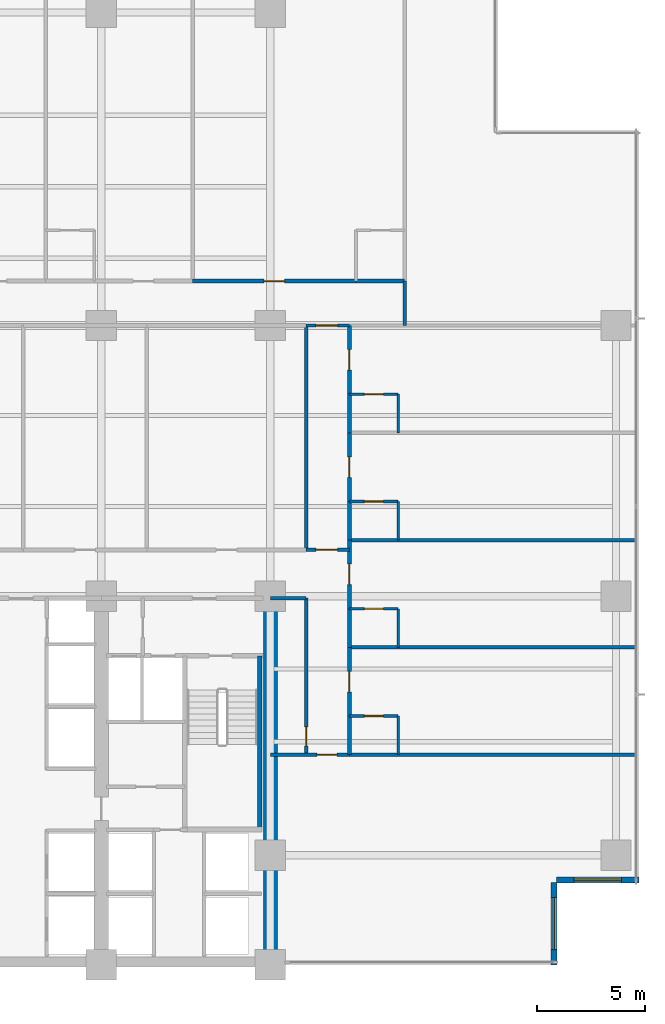
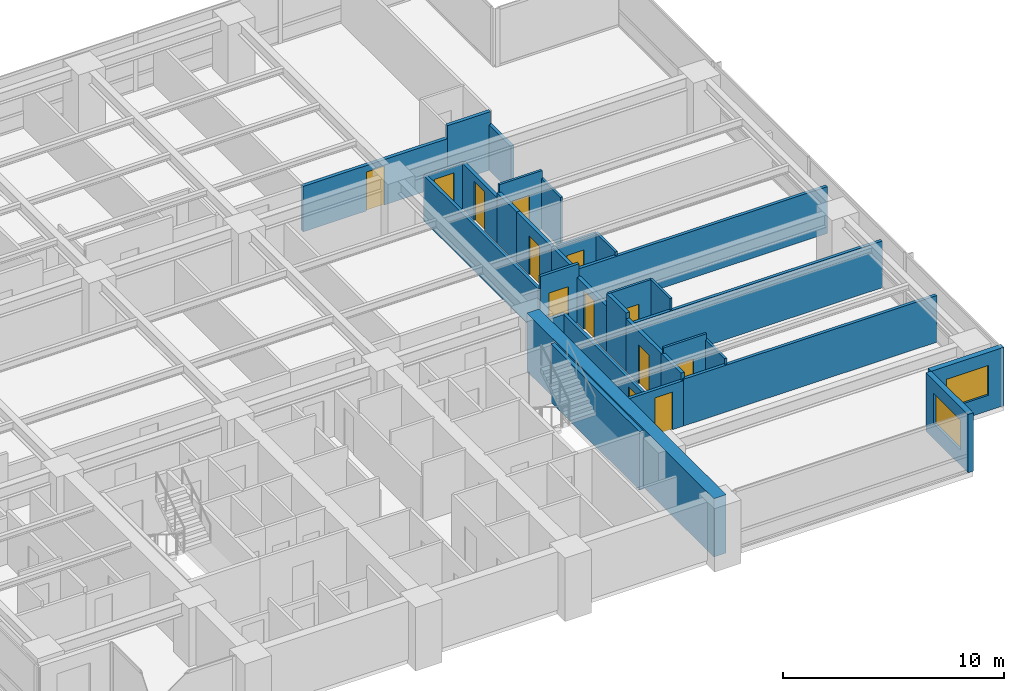
# One storey, part 10 of 17: 32 walls, 13 doors, 2 windows, 15 openings.
"""IFC4 building model written with IfcOpenShell, lengths in metres."""

from ifc_helpers import new_model, si_unit, direction, frame, frame_2d, origin, place, context, subcontext, project, spatial, rectangle, extrude, material, layer, layer_set, type_object, element, fill, save


model = new_model("IFC4")

# Units and contexts
model_context = context("Model", 3, precision=1e-05, world=origin(), true_north=direction((0.0, 1.0)))
body_context = subcontext(model_context, "Body", "Model", "MODEL_VIEW")
ifc_project = project(units=[si_unit("LENGTHUNIT", "METRE"), si_unit("AREAUNIT", "SQUARE_METRE"), si_unit("VOLUMEUNIT", "CUBIC_METRE"), si_unit("PLANEANGLEUNIT", "RADIAN"), si_unit("MASSUNIT", "GRAM", prefix="KILO")], contexts=[model_context])

# Site, building, storey
site_placement = place(None, origin())
site = spatial("IfcSite", under=ifc_project, at=site_placement, CompositionType="ELEMENT")
building_placement = place(site_placement, origin())
building = spatial("IfcBuilding", under=site, at=building_placement, Name="Qalmaran Belvedere Hotel", CompositionType="ELEMENT")
storey_placement = place(building_placement, frame((0.0, 0.0, 33.39990234375)))
storey = spatial("IfcBuildingStorey", under=building, at=storey_placement, Name="L07", CompositionType="ELEMENT", Elevation=33.39990234375)

# Wall
ifc_material_1 = material(Name="Concrete C60/75", Category="concrete")
ifc_layer_1 = layer(ifc_material_1, 0.64990234375, Name="Concrete C60/75")
ifc_layer_set_1 = layer_set([ifc_layer_1], Name="Concrete C60/75")
wall_type_1 = type_object("IfcWallType", Name="WL-CORE-650-C60", PredefinedType="SHEAR", material=ifc_layer_set_1)
wall_1_placement = place(storey_placement, frame((44.800048828125, 3.5, 0.0), z_axis=(0.0, 0.0, 1.0), x_axis=(0.0, 1.0, 0.0)))
element("IfcWall", 1, at=wall_1_placement, inside=storey, type_object=wall_type_1, Name="L07 East Core Shear Wall", PredefinedType="SHEAR", context=body_context, shape_type="SweptSolid", body=[
    extrude(rectangle(XDim=16.89990234375, YDim=0.64990234375, at=frame_2d((8.449951171875, 0.0))), origin(), (0.0, 0.0, 1.0), 3.22021484375),
])

# Wall, opening, window
ifc_material_2 = material(Name="Anodised Bronze Cladding")
ifc_layer_2 = layer(ifc_material_2, 0.280029296875, Name="Anodised Bronze Cladding")
ifc_layer_set_2 = layer_set([ifc_layer_2], Name="Anodised Bronze Cladding")
wall_type_2 = type_object("IfcWallType", Name="WL-EXT-BRNZ-280", PredefinedType="SOLIDWALL", material=ifc_layer_set_2)
wall_2_placement = place(storey_placement, frame((57.8798828125, 3.5, 0.0), z_axis=(0.0, 0.0, 1.0), x_axis=(0.0, 1.0, 0.0)))
wall_2 = element("IfcWall", 2, at=wall_2_placement, inside=storey, type_object=wall_type_2, Name="L07 Corner Notch Wall 1", PredefinedType="SOLIDWALL", context=body_context, shape_type="SweptSolid", body=[
    extrude(rectangle(XDim=3.800048828125, YDim=0.280029296875, at=frame_2d((1.89990234375, 0.0))), origin(), (0.0, 0.0, 1.0), 3.22021484375),
])
opening_1_placement = place(wall_2_placement, frame((0.699951171875, 0.0, 0.85009765625)))
opening_1 = element("IfcOpeningElement", 3, at=opening_1_placement, cuts=wall_2, Name="Opening W-N24", PredefinedType="OPENING", context=body_context, shape_type="SweptSolid", body=[
    extrude(rectangle(XDim=2.39990234375, YDim=1.64990234375, at=frame_2d((1.199951171875, 0.824951171875))), frame((0.0, 0.14990234375, 0.0), z_axis=(0.0, -1.0, 0.0), x_axis=(1.0, 0.0, 0.0)), (0.0, 0.0, 1.0), 0.300048828125),
])
ifc_material_3 = material(Name="Solar-Control Double Glazing", Category="glass")
window_type_1 = type_object("IfcWindowType", Name="WN-NTC-2400X1650", PartitioningType="SINGLE_PANEL", PredefinedType="WINDOW", material=ifc_material_3)
window_1_placement = place(opening_1_placement, origin())
window_1 = element("IfcWindow", 4, at=window_1_placement, inside=storey, type_object=window_type_1, Name="L07 Corner Notch Window 1", OverallHeight=1.64990234375, OverallWidth=2.39990234375, PartitioningType="SINGLE_PANEL", PredefinedType="WINDOW", context=body_context, shape_type="SweptSolid", body=[
    extrude(rectangle(XDim=2.39990234375, YDim=1.64990234375, at=frame_2d((1.199951171875, 0.824951171875))), frame((0.0, 0.030029296875, 0.0), z_axis=(0.0, -1.0, 0.0), x_axis=(1.0, 0.0, 0.0)), (0.0, 0.0, 1.0), 0.06005859375),
])
fill(opening_1, window_1)

wall_3_placement = place(storey_placement, frame((58.0, 7.419921875, 0.0), z_axis=(0.0, 0.0, 1.0), x_axis=(1.0, 0.0, 0.0)))
wall_3 = element("IfcWall", 5, at=wall_3_placement, inside=storey, type_object=wall_type_2, Name="L07 Corner Notch Wall 2", PredefinedType="SOLIDWALL", context=body_context, shape_type="SweptSolid", body=[
    extrude(rectangle(XDim=3.800048828125, YDim=0.280029296875, at=frame_2d((1.89990234375, 0.0))), origin(), (0.0, 0.0, 1.0), 3.22021484375),
])
opening_2_placement = place(wall_3_placement, frame((0.800048828125, 0.0, 0.85009765625)))
opening_2 = element("IfcOpeningElement", 6, at=opening_2_placement, cuts=wall_3, Name="Opening W-N22", PredefinedType="OPENING", context=body_context, shape_type="SweptSolid", body=[
    extrude(rectangle(XDim=2.199951171875, YDim=1.64990234375, at=frame_2d((1.10009765625, 0.824951171875))), frame((0.0, 0.14990234375, 0.0), z_axis=(0.0, -1.0, 0.0), x_axis=(1.0, 0.0, 0.0)), (0.0, 0.0, 1.0), 0.300048828125),
])
window_type_2 = type_object("IfcWindowType", Name="WN-NTC-2200X1650", PartitioningType="SINGLE_PANEL", PredefinedType="WINDOW", material=ifc_material_3)
window_2_placement = place(opening_2_placement, origin())
window_2 = element("IfcWindow", 7, at=window_2_placement, inside=storey, type_object=window_type_2, Name="L07 Corner Notch Window 2", OverallHeight=1.64990234375, OverallWidth=2.199951171875, PartitioningType="SINGLE_PANEL", PredefinedType="WINDOW", context=body_context, shape_type="SweptSolid", body=[
    extrude(rectangle(XDim=2.199951171875, YDim=1.64990234375, at=frame_2d((1.10009765625, 0.824951171875))), frame((0.0, 0.030029296875, 0.0), z_axis=(0.0, -1.0, 0.0), x_axis=(1.0, 0.0, 0.0)), (0.0, 0.0, 1.0), 0.06005859375),
])
fill(opening_2, window_2)

# Wall, opening, door
ifc_material_4 = material(Name="Moisture-Resistant Gypsum")
ifc_layer_3 = layer(ifc_material_4, 0.1201171875, Name="Moisture-Resistant Gypsum")
ifc_layer_set_3 = layer_set([ifc_layer_3], Name="Moisture-Resistant Gypsum")
wall_type_3 = type_object("IfcWallType", Name="WL-INT-120-BATH", PredefinedType="PARTITIONING", material=ifc_layer_set_3)
wall_4_placement = place(storey_placement, frame((48.449951171875, 14.97998046875, 0.0), z_axis=(0.0, 0.0, 1.0), x_axis=(1.0, 0.0, 0.0)))
wall_4 = element("IfcWall", 8, at=wall_4_placement, inside=storey, type_object=wall_type_3, Name="L07 Partition WL-L07-EBN00", PredefinedType="PARTITIONING", context=body_context, shape_type="SweptSolid", body=[
    extrude(rectangle(XDim=2.25, YDim=0.1201171875, at=frame_2d((1.125, 0.0))), origin(), (0.0, 0.0, 1.0), 3.22021484375),
])
opening_3_placement = place(wall_4_placement, frame((1.56494140625, 0.0, 0.0), z_axis=(0.0, 0.0, 1.0), x_axis=(-1.0, 0.0, 0.0)))
opening_3 = element("IfcOpeningElement", 9, at=opening_3_placement, cuts=wall_4, Name="Opening D-BATH", PredefinedType="OPENING", context=body_context, shape_type="SweptSolid", body=[
    extrude(rectangle(XDim=0.8798828125, YDim=2.080078125, at=frame_2d((0.43994140625, 1.0400390625))), frame((0.0, 0.070068359375, 0.0), z_axis=(0.0, -1.0, 0.0), x_axis=(1.0, 0.0, 0.0)), (0.0, 0.0, 1.0), 0.14013671875),
])
ifc_material_5 = material(Name="Engineered Oak Veneer")
door_type_1 = type_object("IfcDoorType", Name="DR-INT-BATH-880X2080", OperationType="NOTDEFINED", PredefinedType="DOOR", material=ifc_material_5)
door_1_placement = place(opening_3_placement, origin())
door_1 = element("IfcDoor", 10, at=door_1_placement, inside=storey, type_object=door_type_1, Name="L07 E Ensuite Door 01", OperationType="SINGLE_SWING_RIGHT", OverallHeight=2.080078125, OverallWidth=0.8798828125, PredefinedType="DOOR", context=body_context, shape_type="SweptSolid", body=[
    extrude(rectangle(XDim=0.8798828125, YDim=2.080078125, at=frame_2d((0.43994140625, 1.0400390625))), frame((0.0, 0.02490234375, 0.0), z_axis=(0.0, -1.0, 0.0), x_axis=(1.0, 0.0, 0.0)), (0.0, 0.0, 1.0), 0.050048828125),
])
fill(opening_3, door_1)

# Wall
wall_5_placement = place(storey_placement, frame((50.699951171875, 13.199951171875, 0.0), z_axis=(0.0, 0.0, 1.0), x_axis=(0.0, 1.0, 0.0)))
element("IfcWall", 11, at=wall_5_placement, inside=storey, type_object=wall_type_3, Name="L07 Partition WL-L07-EBS00", PredefinedType="PARTITIONING", context=body_context, shape_type="SweptSolid", body=[
    extrude(rectangle(XDim=1.780029296875, YDim=0.1201171875, at=frame_2d((0.89013671875, 0.0))), origin(), (0.0, 0.0, 1.0), 2.902099609375),
])

# Wall, opening, door
wall_6_placement = place(storey_placement, frame((48.449951171875, 19.929931640625, 0.0), z_axis=(0.0, 0.0, 1.0), x_axis=(1.0, 0.0, 0.0)))
wall_6 = element("IfcWall", 12, at=wall_6_placement, inside=storey, type_object=wall_type_3, Name="L07 Partition WL-L07-EBN01", PredefinedType="PARTITIONING", context=body_context, shape_type="SweptSolid", body=[
    extrude(rectangle(XDim=2.25, YDim=0.1201171875, at=frame_2d((1.125, 0.0))), origin(), (0.0, 0.0, 1.0), 3.22021484375),
])
opening_4_placement = place(wall_6_placement, frame((1.56494140625, 0.0, 0.0), z_axis=(0.0, 0.0, 1.0), x_axis=(-1.0, 0.0, 0.0)))
opening_4 = element("IfcOpeningElement", 13, at=opening_4_placement, cuts=wall_6, Name="Opening D-BATH", PredefinedType="OPENING", context=body_context, shape_type="SweptSolid", body=[
    extrude(rectangle(XDim=0.8798828125, YDim=2.080078125, at=frame_2d((0.43994140625, 1.0400390625))), frame((0.0, 0.070068359375, 0.0), z_axis=(0.0, -1.0, 0.0), x_axis=(1.0, 0.0, 0.0)), (0.0, 0.0, 1.0), 0.14013671875),
])
door_2_placement = place(opening_4_placement, origin())
door_2 = element("IfcDoor", 14, at=door_2_placement, inside=storey, type_object=door_type_1, Name="L07 E Ensuite Door 02", OperationType="SINGLE_SWING_RIGHT", OverallHeight=2.080078125, OverallWidth=0.8798828125, PredefinedType="DOOR", context=body_context, shape_type="SweptSolid", body=[
    extrude(rectangle(XDim=0.8798828125, YDim=2.080078125, at=frame_2d((0.43994140625, 1.0400390625))), frame((0.0, 0.02490234375, 0.0), z_axis=(0.0, -1.0, 0.0), x_axis=(1.0, 0.0, 0.0)), (0.0, 0.0, 1.0), 0.050048828125),
])
fill(opening_4, door_2)

# Wall
wall_7_placement = place(storey_placement, frame((50.699951171875, 18.14990234375, 0.0), z_axis=(0.0, 0.0, 1.0), x_axis=(0.0, 1.0, 0.0)))
element("IfcWall", 15, at=wall_7_placement, inside=storey, type_object=wall_type_3, Name="L07 Partition WL-L07-EBS01", PredefinedType="PARTITIONING", context=body_context, shape_type="SweptSolid", body=[
    extrude(rectangle(XDim=1.780029296875, YDim=0.1201171875, at=frame_2d((0.89013671875, 0.0))), origin(), (0.0, 0.0, 1.0), 3.22021484375),
])

# Wall, opening, door
wall_8_placement = place(storey_placement, frame((48.449951171875, 24.8798828125, 0.0), z_axis=(0.0, 0.0, 1.0), x_axis=(1.0, 0.0, 0.0)))
wall_8 = element("IfcWall", 16, at=wall_8_placement, inside=storey, type_object=wall_type_3, Name="L07 Partition WL-L07-EBN02", PredefinedType="PARTITIONING", context=body_context, shape_type="SweptSolid", body=[
    extrude(rectangle(XDim=2.25, YDim=0.1201171875, at=frame_2d((1.125, 0.0))), origin(), (0.0, 0.0, 1.0), 2.7880859375),
])
opening_5_placement = place(wall_8_placement, frame((1.56494140625, 0.0, 0.0), z_axis=(0.0, 0.0, 1.0), x_axis=(-1.0, 0.0, 0.0)))
opening_5 = element("IfcOpeningElement", 17, at=opening_5_placement, cuts=wall_8, Name="Opening D-BATH", PredefinedType="OPENING", context=body_context, shape_type="SweptSolid", body=[
    extrude(rectangle(XDim=0.8798828125, YDim=2.080078125, at=frame_2d((0.43994140625, 1.0400390625))), frame((0.0, 0.070068359375, 0.0), z_axis=(0.0, -1.0, 0.0), x_axis=(1.0, 0.0, 0.0)), (0.0, 0.0, 1.0), 0.14013671875),
])
door_3_placement = place(opening_5_placement, origin())
door_3 = element("IfcDoor", 18, at=door_3_placement, inside=storey, type_object=door_type_1, Name="L07 E Ensuite Door 03", OperationType="SINGLE_SWING_RIGHT", OverallHeight=2.080078125, OverallWidth=0.8798828125, PredefinedType="DOOR", context=body_context, shape_type="SweptSolid", body=[
    extrude(rectangle(XDim=0.8798828125, YDim=2.080078125, at=frame_2d((0.43994140625, 1.0400390625))), frame((0.0, 0.02490234375, 0.0), z_axis=(0.0, -1.0, 0.0), x_axis=(1.0, 0.0, 0.0)), (0.0, 0.0, 1.0), 0.050048828125),
])
fill(opening_5, door_3)

# Wall
wall_9_placement = place(storey_placement, frame((50.699951171875, 23.10009765625, 0.0), z_axis=(0.0, 0.0, 1.0), x_axis=(0.0, 1.0, 0.0)))
element("IfcWall", 19, at=wall_9_placement, inside=storey, type_object=wall_type_3, Name="L07 Partition WL-L07-EBS02", PredefinedType="PARTITIONING", context=body_context, shape_type="SweptSolid", body=[
    extrude(rectangle(XDim=1.77978515625, YDim=0.1201171875, at=frame_2d((0.889892578125, 0.0))), origin(), (0.0, 0.0, 1.0), 2.7880859375),
])

# Wall, opening, door
wall_10_placement = place(storey_placement, frame((48.449951171875, 29.830078125, 0.0), z_axis=(0.0, 0.0, 1.0), x_axis=(1.0, 0.0, 0.0)))
wall_10 = element("IfcWall", 20, at=wall_10_placement, inside=storey, type_object=wall_type_3, Name="L07 Partition WL-L07-EBN03", PredefinedType="PARTITIONING", context=body_context, shape_type="SweptSolid", body=[
    extrude(rectangle(XDim=2.25, YDim=0.1201171875, at=frame_2d((1.125, 0.0))), origin(), (0.0, 0.0, 1.0), 3.22021484375),
])
opening_6_placement = place(wall_10_placement, frame((1.56494140625, 0.0, 0.0), z_axis=(0.0, 0.0, 1.0), x_axis=(-1.0, 0.0, 0.0)))
opening_6 = element("IfcOpeningElement", 21, at=opening_6_placement, cuts=wall_10, Name="Opening D-BATH", PredefinedType="OPENING", context=body_context, shape_type="SweptSolid", body=[
    extrude(rectangle(XDim=0.8798828125, YDim=2.080078125, at=frame_2d((0.43994140625, 1.0400390625))), frame((0.0, 0.070068359375, 0.0), z_axis=(0.0, -1.0, 0.0), x_axis=(1.0, 0.0, 0.0)), (0.0, 0.0, 1.0), 0.14013671875),
])
door_4_placement = place(opening_6_placement, origin())
door_4 = element("IfcDoor", 22, at=door_4_placement, inside=storey, type_object=door_type_1, Name="L07 E Ensuite Door 04", OperationType="SINGLE_SWING_RIGHT", OverallHeight=2.080078125, OverallWidth=0.8798828125, PredefinedType="DOOR", context=body_context, shape_type="SweptSolid", body=[
    extrude(rectangle(XDim=0.8798828125, YDim=2.080078125, at=frame_2d((0.43994140625, 1.0400390625))), frame((0.0, 0.02490234375, 0.0), z_axis=(0.0, -1.0, 0.0), x_axis=(1.0, 0.0, 0.0)), (0.0, 0.0, 1.0), 0.050048828125),
])
fill(opening_6, door_4)

# Wall
wall_11_placement = place(storey_placement, frame((50.699951171875, 28.050048828125, 0.0), z_axis=(0.0, 0.0, 1.0), x_axis=(0.0, 1.0, 0.0)))
element("IfcWall", 23, at=wall_11_placement, inside=storey, type_object=wall_type_3, Name="L07 Partition WL-L07-EBS03", PredefinedType="PARTITIONING", context=body_context, shape_type="SweptSolid", body=[
    extrude(rectangle(XDim=1.780029296875, YDim=0.1201171875, at=frame_2d((0.89013671875, 0.0))), origin(), (0.0, 0.0, 1.0), 2.7880859375),
])

# Wall, opening, door
ifc_material_6 = material(Name="Gypsum Stud Partition")
ifc_layer_4 = layer(ifc_material_6, 0.14990234375, Name="Gypsum Stud Partition")
ifc_layer_set_4 = layer_set([ifc_layer_4], Name="Gypsum Stud Partition")
wall_type_4 = type_object("IfcWallType", Name="WL-INT-150-EI60", PredefinedType="PARTITIONING", material=ifc_layer_set_4)
wall_12_placement = place(storey_placement, frame((46.449951171875, 22.64990234375, 0.0), z_axis=(0.0, 0.0, 1.0), x_axis=(1.0, 0.0, 0.0)))
wall_12 = element("IfcWall", 24, at=wall_12_placement, inside=storey, type_object=wall_type_4, Name="L07 Partition WL-L07-XCE1", PredefinedType="PARTITIONING", context=body_context, shape_type="SweptSolid", body=[
    extrude(rectangle(XDim=2.0, YDim=0.14990234375, at=frame_2d((1.0, 0.0))), origin(), (0.0, 0.0, 1.0), 3.22021484375),
])
opening_7_placement = place(wall_12_placement, frame((0.449951171875, 0.0, 0.0)))
opening_7 = element("IfcOpeningElement", 25, at=opening_7_placement, cuts=wall_12, Name="Opening FD90B", PredefinedType="OPENING", context=body_context, shape_type="SweptSolid", body=[
    extrude(rectangle(XDim=1.0, YDim=2.14990234375, at=frame_2d((0.5, 1.074951171875))), frame((0.0, 0.0849609375, 0.0), z_axis=(0.0, -1.0, 0.0), x_axis=(1.0, 0.0, 0.0)), (0.0, 0.0, 1.0), 0.169921875),
])
ifc_material_7 = material(Name="Steel S355JR", Category="steel")
door_type_2 = type_object("IfcDoorType", Name="DR-FD90B-1000X2150", OperationType="NOTDEFINED", PredefinedType="DOOR", material=ifc_material_7)
door_5_placement = place(opening_7_placement, origin())
door_5 = element("IfcDoor", 26, at=door_5_placement, inside=storey, type_object=door_type_2, Name="L07 East Corridor Smoke Door S", OperationType="SINGLE_SWING_LEFT", OverallHeight=2.14990234375, OverallWidth=1.0, PredefinedType="DOOR", context=body_context, shape_type="SweptSolid", body=[
    extrude(rectangle(XDim=1.0, YDim=2.14990234375, at=frame_2d((0.5, 1.074951171875))), frame((0.0, 0.02490234375, 0.0), z_axis=(0.0, -1.0, 0.0), x_axis=(1.0, 0.0, 0.0)), (0.0, 0.0, 1.0), 0.050048828125),
])
fill(opening_7, door_5)

wall_13_placement = place(storey_placement, frame((46.449951171875, 33.0, 0.0), z_axis=(0.0, 0.0, 1.0), x_axis=(1.0, 0.0, 0.0)))
wall_13 = element("IfcWall", 27, at=wall_13_placement, inside=storey, type_object=wall_type_4, Name="L07 Partition WL-L07-XCE2", PredefinedType="PARTITIONING", context=body_context, shape_type="SweptSolid", body=[
    extrude(rectangle(XDim=2.0, YDim=0.14990234375, at=frame_2d((1.0, 0.0))), origin(), (0.0, 0.0, 1.0), 2.510009765625),
])
opening_8_placement = place(wall_13_placement, frame((0.449951171875, 0.0, 0.0)))
opening_8 = element("IfcOpeningElement", 28, at=opening_8_placement, cuts=wall_13, Name="Opening FD90B", PredefinedType="OPENING", context=body_context, shape_type="SweptSolid", body=[
    extrude(rectangle(XDim=1.0, YDim=2.14990234375, at=frame_2d((0.5, 1.074951171875))), frame((0.0, 0.0849609375, 0.0), z_axis=(0.0, -1.0, 0.0), x_axis=(1.0, 0.0, 0.0)), (0.0, 0.0, 1.0), 0.169921875),
])
door_6_placement = place(opening_8_placement, origin())
door_6 = element("IfcDoor", 29, at=door_6_placement, inside=storey, type_object=door_type_2, Name="L07 East Corridor Smoke Door N", OperationType="SINGLE_SWING_RIGHT", OverallHeight=2.14990234375, OverallWidth=1.0, PredefinedType="DOOR", context=body_context, shape_type="SweptSolid", body=[
    extrude(rectangle(XDim=1.0, YDim=2.14990234375, at=frame_2d((0.5, 1.074951171875))), frame((0.0, 0.02490234375, 0.0), z_axis=(0.0, -1.0, 0.0), x_axis=(1.0, 0.0, 0.0)), (0.0, 0.0, 1.0), 0.050048828125),
])
fill(opening_8, door_6)

ifc_layer_5 = layer(ifc_material_6, 0.159912109375, Name="Gypsum Stud Partition")
ifc_layer_set_5 = layer_set([ifc_layer_5], Name="Gypsum Stud Partition")
wall_type_5 = type_object("IfcWallType", Name="WL-INT-160-EI60", PredefinedType="PARTITIONING", material=ifc_layer_set_5)
wall_14_placement = place(storey_placement, frame((44.800048828125, 13.199951171875, 0.0), z_axis=(0.0, 0.0, 1.0), x_axis=(1.0, 0.0, 0.0)))
wall_14 = element("IfcWall", 30, at=wall_14_placement, inside=storey, type_object=wall_type_5, Name="L07 Partition WL-L07-SERL", PredefinedType="PARTITIONING", context=body_context, shape_type="SweptSolid", body=[
    extrude(rectangle(XDim=3.64990234375, YDim=0.159912109375, at=frame_2d((1.824951171875, 0.0))), origin(), (0.0, 0.0, 1.0), 2.510009765625),
])
opening_9_placement = place(wall_14_placement, frame((3.06982421875, 0.0, 0.0), z_axis=(0.0, 0.0, 1.0), x_axis=(-1.0, 0.0, 0.0)))
opening_9 = element("IfcOpeningElement", 31, at=opening_9_placement, cuts=wall_14, Name="Opening FD60S1", PredefinedType="OPENING", context=body_context, shape_type="SweptSolid", body=[
    extrude(rectangle(XDim=0.919921875, YDim=2.080078125, at=frame_2d((0.4599609375, 1.0400390625))), frame((0.0, 0.08984375, 0.0), z_axis=(0.0, -1.0, 0.0), x_axis=(1.0, 0.0, 0.0)), (0.0, 0.0, 1.0), 0.179931640625),
])
door_type_3 = type_object("IfcDoorType", Name="DR-FD60S-920X2080", OperationType="NOTDEFINED", PredefinedType="DOOR", material=ifc_material_5)
door_7_placement = place(opening_9_placement, origin())
door_7 = element("IfcDoor", 32, at=door_7_placement, inside=storey, type_object=door_type_3, Name="L07 SE Lounge Door", OperationType="SINGLE_SWING_RIGHT", OverallHeight=2.080078125, OverallWidth=0.919921875, PredefinedType="DOOR", context=body_context, shape_type="SweptSolid", body=[
    extrude(rectangle(XDim=0.919921875, YDim=2.080078125, at=frame_2d((0.4599609375, 1.0400390625))), frame((0.0, 0.02490234375, 0.0), z_axis=(0.0, -1.0, 0.0), x_axis=(1.0, 0.0, 0.0)), (0.0, 0.0, 1.0), 0.050048828125),
])
fill(opening_9, door_7)

wall_15_placement = place(storey_placement, frame((46.449951171875, 13.199951171875, 0.0), z_axis=(0.0, 0.0, 1.0), x_axis=(0.0, 1.0, 0.0)))
wall_15 = element("IfcWall", 33, at=wall_15_placement, inside=storey, type_object=wall_type_5, Name="L07 Partition WL-L07-ECL", PredefinedType="PARTITIONING", context=body_context, shape_type="SweptSolid", body=[
    extrude(rectangle(XDim=7.219970703125, YDim=0.159912109375, at=frame_2d((3.60986328125, 0.0))), origin(), (0.0, 0.0, 1.0), 2.510009765625),
])
opening_10_placement = place(wall_15_placement, frame((0.39990234375, 0.0, 0.0)))
opening_10 = element("IfcOpeningElement", 34, at=opening_10_placement, cuts=wall_15, Name="Opening FD60B", PredefinedType="OPENING", context=body_context, shape_type="SweptSolid", body=[
    extrude(rectangle(XDim=0.8798828125, YDim=2.080078125, at=frame_2d((0.43994140625, 1.0400390625))), frame((0.0, 0.08984375, 0.0), z_axis=(0.0, -1.0, 0.0), x_axis=(1.0, 0.0, 0.0)), (0.0, 0.0, 1.0), 0.179931640625),
])
door_type_4 = type_object("IfcDoorType", Name="DR-FD60B-880X2080", OperationType="NOTDEFINED", PredefinedType="DOOR", material=ifc_material_7)
door_8_placement = place(opening_10_placement, origin())
door_8 = element("IfcDoor", 35, at=door_8_placement, inside=storey, type_object=door_type_4, Name="L07 East Closet Door", OperationType="SINGLE_SWING_RIGHT", OverallHeight=2.080078125, OverallWidth=0.8798828125, PredefinedType="DOOR", context=body_context, shape_type="SweptSolid", body=[
    extrude(rectangle(XDim=0.8798828125, YDim=2.080078125, at=frame_2d((0.43994140625, 1.0400390625))), frame((0.0, 0.02490234375, 0.0), z_axis=(0.0, -1.0, 0.0), x_axis=(1.0, 0.0, 0.0)), (0.0, 0.0, 1.0), 0.050048828125),
])
fill(opening_10, door_8)

# Walls
wall_16_placement = place(storey_placement, frame((44.800048828125, 20.419921875, 0.0), z_axis=(0.0, 0.0, 1.0), x_axis=(1.0, 0.0, 0.0)))
element("IfcWall", 36, at=wall_16_placement, inside=storey, type_object=wall_type_5, Name="L07 Partition WL-L07-ECLN", PredefinedType="PARTITIONING", context=body_context, shape_type="SweptSolid", body=[
    extrude(rectangle(XDim=1.64990234375, YDim=0.159912109375, at=frame_2d((0.824951171875, 0.0))), origin(), (0.0, 0.0, 1.0), 2.510009765625),
])
wall_17_placement = place(storey_placement, frame((51.0, 33.0, 0.0), z_axis=(0.0, 0.0, 1.0), x_axis=(0.0, 1.0, 0.0)))
element("IfcWall", 37, at=wall_17_placement, inside=storey, type_object=wall_type_5, Name="L07 Partition WL-L07-NCGE", PredefinedType="PARTITIONING", context=body_context, shape_type="SweptSolid", body=[
    extrude(rectangle(XDim=2.050048828125, YDim=0.159912109375, at=frame_2d((1.02490234375, 0.0))), origin(), (0.0, 0.0, 1.0), 2.510009765625),
])
wall_18_placement = place(storey_placement, frame((46.449951171875, 22.64990234375, 0.0), z_axis=(0.0, 0.0, 1.0), x_axis=(0.0, 1.0, 0.0)))
element("IfcWall", 38, at=wall_18_placement, inside=storey, type_object=wall_type_5, Name="L07 Partition WL-L07-MIDVR3", PredefinedType="PARTITIONING", context=body_context, shape_type="SweptSolid", body=[
    extrude(rectangle(XDim=10.35009765625, YDim=0.159912109375, at=frame_2d((5.175048828125, 0.0))), origin(), (0.0, 0.0, 1.0), 2.510009765625),
])
for number, where, z_axis, x_axis, name in (
    (39, (48.449951171875, 13.199951171875, 0.0), (0.0, 0.0, 1.0), (1.0, 0.0, 0.0), "L07 Partition WL-L07-EBOT"),
    (40, (48.449951171875, 18.14990234375, 0.0), (0.0, 0.0, 1.0), (1.0, 0.0, 0.0), "L07 Partition WL-L07-EU00"),
    (41, (48.449951171875, 23.10009765625, 0.0), (0.0, 0.0, 1.0), (1.0, 0.0, 0.0), "L07 Partition WL-L07-EU01"),
):
    element("IfcWall", number, at=place(storey_placement, frame(where, z_axis=z_axis, x_axis=x_axis)), inside=storey, type_object=wall_type_5, Name=name, PredefinedType="PARTITIONING", context=body_context, shape_type="SweptSolid", body=[
        extrude(rectangle(XDim=13.22998046875, YDim=0.159912109375, at=frame_2d((6.614990234375, 0.0))), origin(), (0.0, 0.0, 1.0), 2.5830078125),
    ])
ifc_layer_6 = layer(ifc_material_6, 0.179931640625, Name="Gypsum Stud Partition")
ifc_layer_set_6 = layer_set([ifc_layer_6], Name="Gypsum Stud Partition")
wall_type_6 = type_object("IfcWallType", Name="WL-INT-180-EI60", PredefinedType="PARTITIONING", material=ifc_layer_set_6)
wall_19_placement = place(storey_placement, frame((48.75, 35.050048828125, 0.0), z_axis=(0.0, 0.0, 1.0), x_axis=(1.0, 0.0, 0.0)))
element("IfcWall", 42, at=wall_19_placement, inside=storey, type_object=wall_type_6, Name="L07 Partition WL-L07-NBC04", PredefinedType="PARTITIONING", context=body_context, shape_type="SweptSolid", body=[
    extrude(rectangle(XDim=2.25, YDim=0.179931640625, at=frame_2d((1.125, 0.0))), origin(), (0.0, 0.0, 1.0), 3.22021484375),
])

# Wall, opening, door
wall_20_placement = place(storey_placement, frame((41.21142578125, 35.050048828125, 0.0), z_axis=(0.0, 0.0, 1.0), x_axis=(1.0, 0.0, 0.0)))
wall_20 = element("IfcWall", 43, at=wall_20_placement, inside=storey, type_object=wall_type_6, Name="L07 Partition WL-L07-NEC04", PredefinedType="PARTITIONING", context=body_context, shape_type="SweptSolid", body=[
    extrude(rectangle(XDim=7.53857421875, YDim=0.179931640625, at=frame_2d((3.769287109375, 0.0))), origin(), (0.0, 0.0, 1.0), 2.510009765625),
])
opening_11_placement = place(wall_20_placement, frame((3.294189453125, 0.0, 0.0)))
opening_11 = element("IfcOpeningElement", 44, at=opening_11_placement, cuts=wall_20, Name="Opening FD60", PredefinedType="OPENING", context=body_context, shape_type="SweptSolid", body=[
    extrude(rectangle(XDim=0.949951171875, YDim=2.14990234375, at=frame_2d((0.47509765625, 1.074951171875))), frame((0.0, 0.10009765625, 0.0), z_axis=(0.0, -1.0, 0.0), x_axis=(1.0, 0.0, 0.0)), (0.0, 0.0, 1.0), 0.199951171875),
])
door_type_5 = type_object("IfcDoorType", Name="DR-FD60-950X2150", OperationType="NOTDEFINED", PredefinedType="DOOR", material=ifc_material_5)
door_9_placement = place(opening_11_placement, origin())
door_9 = element("IfcDoor", 45, at=door_9_placement, inside=storey, type_object=door_type_5, Name="L07 Guest Entrance Door N05", OperationType="SINGLE_SWING_LEFT", OverallHeight=2.14990234375, OverallWidth=0.949951171875, PredefinedType="DOOR", context=body_context, shape_type="SweptSolid", body=[
    extrude(rectangle(XDim=0.949951171875, YDim=2.14990234375, at=frame_2d((0.47509765625, 1.074951171875))), frame((0.0, 0.02490234375, 0.0), z_axis=(0.0, -1.0, 0.0), x_axis=(1.0, 0.0, 0.0)), (0.0, 0.0, 1.0), 0.050048828125),
])
fill(opening_11, door_9)

# Wall
wall_21_placement = place(storey_placement, frame((48.449951171875, 13.199951171875, 0.0), z_axis=(0.0, 0.0, 1.0), x_axis=(0.0, 1.0, 0.0)))
element("IfcWall", 46, at=wall_21_placement, inside=storey, type_object=wall_type_6, Name="L07 Partition WL-L07-EBC00", PredefinedType="PARTITIONING", context=body_context, shape_type="SweptSolid", body=[
    extrude(rectangle(XDim=1.780029296875, YDim=0.179931640625, at=frame_2d((0.89013671875, 0.0))), origin(), (0.0, 0.0, 1.0), 2.902099609375),
])

# Wall, opening, door
wall_22_placement = place(storey_placement, frame((48.449951171875, 14.97998046875, 0.0), z_axis=(0.0, 0.0, 1.0), x_axis=(0.0, 1.0, 0.0)))
wall_22 = element("IfcWall", 47, at=wall_22_placement, inside=storey, type_object=wall_type_6, Name="L07 Partition WL-L07-EEC00", PredefinedType="PARTITIONING", context=body_context, shape_type="SweptSolid", body=[
    extrude(rectangle(XDim=3.169921875, YDim=0.179931640625, at=frame_2d((1.5849609375, 0.0))), origin(), (0.0, 0.0, 1.0), 2.902099609375),
])
opening_12_placement = place(wall_22_placement, frame((2.06005859375, 0.0, 0.0), z_axis=(0.0, 0.0, 1.0), x_axis=(-1.0, 0.0, 0.0)))
opening_12 = element("IfcOpeningElement", 48, at=opening_12_placement, cuts=wall_22, Name="Opening FD60", PredefinedType="OPENING", context=body_context, shape_type="SweptSolid", body=[
    extrude(rectangle(XDim=0.949951171875, YDim=2.14990234375, at=frame_2d((0.47509765625, 1.074951171875))), frame((0.0, 0.10009765625, 0.0), z_axis=(0.0, -1.0, 0.0), x_axis=(1.0, 0.0, 0.0)), (0.0, 0.0, 1.0), 0.199951171875),
])
door_10_placement = place(opening_12_placement, origin())
door_10 = element("IfcDoor", 49, at=door_10_placement, inside=storey, type_object=door_type_5, Name="L07 E Wing Door 01", OperationType="SINGLE_SWING_LEFT", OverallHeight=2.14990234375, OverallWidth=0.949951171875, PredefinedType="DOOR", context=body_context, shape_type="SweptSolid", body=[
    extrude(rectangle(XDim=0.949951171875, YDim=2.14990234375, at=frame_2d((0.47509765625, 1.074951171875))), frame((0.0, 0.02490234375, 0.0), z_axis=(0.0, -1.0, 0.0), x_axis=(1.0, 0.0, 0.0)), (0.0, 0.0, 1.0), 0.050048828125),
])
fill(opening_12, door_10)

# Wall
wall_23_placement = place(storey_placement, frame((48.449951171875, 18.14990234375, 0.0), z_axis=(0.0, 0.0, 1.0), x_axis=(0.0, 1.0, 0.0)))
element("IfcWall", 50, at=wall_23_placement, inside=storey, type_object=wall_type_6, Name="L07 Partition WL-L07-EBC01", PredefinedType="PARTITIONING", context=body_context, shape_type="SweptSolid", body=[
    extrude(rectangle(XDim=1.780029296875, YDim=0.179931640625, at=frame_2d((0.89013671875, 0.0))), origin(), (0.0, 0.0, 1.0), 3.22021484375),
])

# Wall, opening, door
wall_24_placement = place(storey_placement, frame((48.449951171875, 19.929931640625, 0.0), z_axis=(0.0, 0.0, 1.0), x_axis=(0.0, 1.0, 0.0)))
wall_24 = element("IfcWall", 51, at=wall_24_placement, inside=storey, type_object=wall_type_6, Name="L07 Partition WL-L07-EEC01", PredefinedType="PARTITIONING", context=body_context, shape_type="SweptSolid", body=[
    extrude(rectangle(XDim=3.170166015625, YDim=0.179931640625, at=frame_2d((1.5849609375, 0.0))), origin(), (0.0, 0.0, 1.0), 2.510009765625),
])
opening_13_placement = place(wall_24_placement, frame((2.06005859375, 0.0, 0.0), z_axis=(0.0, 0.0, 1.0), x_axis=(-1.0, 0.0, 0.0)))
opening_13 = element("IfcOpeningElement", 52, at=opening_13_placement, cuts=wall_24, Name="Opening FD60", PredefinedType="OPENING", context=body_context, shape_type="SweptSolid", body=[
    extrude(rectangle(XDim=0.949951171875, YDim=2.14990234375, at=frame_2d((0.47509765625, 1.074951171875))), frame((0.0, 0.10009765625, 0.0), z_axis=(0.0, -1.0, 0.0), x_axis=(1.0, 0.0, 0.0)), (0.0, 0.0, 1.0), 0.199951171875),
])
door_11_placement = place(opening_13_placement, origin())
door_11 = element("IfcDoor", 53, at=door_11_placement, inside=storey, type_object=door_type_5, Name="L07 E Wing Door 02", OperationType="SINGLE_SWING_LEFT", OverallHeight=2.14990234375, OverallWidth=0.949951171875, PredefinedType="DOOR", context=body_context, shape_type="SweptSolid", body=[
    extrude(rectangle(XDim=0.949951171875, YDim=2.14990234375, at=frame_2d((0.47509765625, 1.074951171875))), frame((0.0, 0.02490234375, 0.0), z_axis=(0.0, -1.0, 0.0), x_axis=(1.0, 0.0, 0.0)), (0.0, 0.0, 1.0), 0.050048828125),
])
fill(opening_13, door_11)

# Wall
wall_25_placement = place(storey_placement, frame((48.449951171875, 23.10009765625, 0.0), z_axis=(0.0, 0.0, 1.0), x_axis=(0.0, 1.0, 0.0)))
element("IfcWall", 54, at=wall_25_placement, inside=storey, type_object=wall_type_6, Name="L07 Partition WL-L07-EBC02", PredefinedType="PARTITIONING", context=body_context, shape_type="SweptSolid", body=[
    extrude(rectangle(XDim=1.77978515625, YDim=0.179931640625, at=frame_2d((0.889892578125, 0.0))), origin(), (0.0, 0.0, 1.0), 2.7880859375),
])

# Wall, opening, door
wall_26_placement = place(storey_placement, frame((48.449951171875, 24.8798828125, 0.0), z_axis=(0.0, 0.0, 1.0), x_axis=(0.0, 1.0, 0.0)))
wall_26 = element("IfcWall", 55, at=wall_26_placement, inside=storey, type_object=wall_type_6, Name="L07 Partition WL-L07-EEC02", PredefinedType="PARTITIONING", context=body_context, shape_type="SweptSolid", body=[
    extrude(rectangle(XDim=3.170166015625, YDim=0.179931640625, at=frame_2d((1.5849609375, 0.0))), origin(), (0.0, 0.0, 1.0), 2.7880859375),
])
opening_14_placement = place(wall_26_placement, frame((2.06005859375, 0.0, 0.0), z_axis=(0.0, 0.0, 1.0), x_axis=(-1.0, 0.0, 0.0)))
opening_14 = element("IfcOpeningElement", 56, at=opening_14_placement, cuts=wall_26, Name="Opening FD60", PredefinedType="OPENING", context=body_context, shape_type="SweptSolid", body=[
    extrude(rectangle(XDim=0.949951171875, YDim=2.14990234375, at=frame_2d((0.47509765625, 1.074951171875))), frame((0.0, 0.10009765625, 0.0), z_axis=(0.0, -1.0, 0.0), x_axis=(1.0, 0.0, 0.0)), (0.0, 0.0, 1.0), 0.199951171875),
])
door_12_placement = place(opening_14_placement, origin())
door_12 = element("IfcDoor", 57, at=door_12_placement, inside=storey, type_object=door_type_5, Name="L07 E Wing Door 03", OperationType="SINGLE_SWING_LEFT", OverallHeight=2.14990234375, OverallWidth=0.949951171875, PredefinedType="DOOR", context=body_context, shape_type="SweptSolid", body=[
    extrude(rectangle(XDim=0.949951171875, YDim=2.14990234375, at=frame_2d((0.47509765625, 1.074951171875))), frame((0.0, 0.02490234375, 0.0), z_axis=(0.0, -1.0, 0.0), x_axis=(1.0, 0.0, 0.0)), (0.0, 0.0, 1.0), 0.050048828125),
])
fill(opening_14, door_12)

# Wall
wall_27_placement = place(storey_placement, frame((48.449951171875, 28.050048828125, 0.0), z_axis=(0.0, 0.0, 1.0), x_axis=(0.0, 1.0, 0.0)))
element("IfcWall", 58, at=wall_27_placement, inside=storey, type_object=wall_type_6, Name="L07 Partition WL-L07-EBC03", PredefinedType="PARTITIONING", context=body_context, shape_type="SweptSolid", body=[
    extrude(rectangle(XDim=1.780029296875, YDim=0.179931640625, at=frame_2d((0.89013671875, 0.0))), origin(), (0.0, 0.0, 1.0), 2.7880859375),
])

# Wall, opening, door
wall_28_placement = place(storey_placement, frame((48.449951171875, 29.830078125, 0.0), z_axis=(0.0, 0.0, 1.0), x_axis=(0.0, 1.0, 0.0)))
wall_28 = element("IfcWall", 59, at=wall_28_placement, inside=storey, type_object=wall_type_6, Name="L07 Partition WL-L07-EEC03", PredefinedType="PARTITIONING", context=body_context, shape_type="SweptSolid", body=[
    extrude(rectangle(XDim=3.169921875, YDim=0.179931640625, at=frame_2d((1.5849609375, 0.0))), origin(), (0.0, 0.0, 1.0), 2.510009765625),
])
opening_15_placement = place(wall_28_placement, frame((2.06005859375, 0.0, 0.0), z_axis=(0.0, 0.0, 1.0), x_axis=(-1.0, 0.0, 0.0)))
opening_15 = element("IfcOpeningElement", 60, at=opening_15_placement, cuts=wall_28, Name="Opening FD60", PredefinedType="OPENING", context=body_context, shape_type="SweptSolid", body=[
    extrude(rectangle(XDim=0.949951171875, YDim=2.14990234375, at=frame_2d((0.47509765625, 1.074951171875))), frame((0.0, 0.10009765625, 0.0), z_axis=(0.0, -1.0, 0.0), x_axis=(1.0, 0.0, 0.0)), (0.0, 0.0, 1.0), 0.199951171875),
])
door_13_placement = place(opening_15_placement, origin())
door_13 = element("IfcDoor", 61, at=door_13_placement, inside=storey, type_object=door_type_5, Name="L07 E Wing Door 04", OperationType="SINGLE_SWING_LEFT", OverallHeight=2.14990234375, OverallWidth=0.949951171875, PredefinedType="DOOR", context=body_context, shape_type="SweptSolid", body=[
    extrude(rectangle(XDim=0.949951171875, YDim=2.14990234375, at=frame_2d((0.47509765625, 1.074951171875))), frame((0.0, 0.02490234375, 0.0), z_axis=(0.0, -1.0, 0.0), x_axis=(1.0, 0.0, 0.0)), (0.0, 0.0, 1.0), 0.050048828125),
])
fill(opening_15, door_13)

# Wall
ifc_material_8 = material(Name="Concrete C50/60", Category="concrete")
ifc_layer_7 = layer(ifc_material_8, 0.2099609375, Name="Concrete C50/60")
ifc_layer_set_7 = layer_set([ifc_layer_7], Name="Concrete C50/60")
wall_type_7 = type_object("IfcWallType", Name="WL-STAIR-210-C50", PredefinedType="SHEAR", material=ifc_layer_set_7)
wall_29_placement = place(storey_placement, frame((44.304931640625, 9.7451171875, 0.0), z_axis=(0.0, 0.0, 1.0), x_axis=(0.0, 1.0, 0.0)))
element("IfcWall", 62, at=wall_29_placement, inside=storey, type_object=wall_type_7, Name="L07 Stair ST-2 East Bearing Wall", PredefinedType="SHEAR", context=body_context, shape_type="SweptSolid", body=[
    extrude(rectangle(XDim=8.009765625, YDim=0.2099609375, at=frame_2d((4.0048828125, 0.0))), origin(), (0.0, 0.0, 1.0), 3.22021484375),
])

save(model, "model.ifc")
